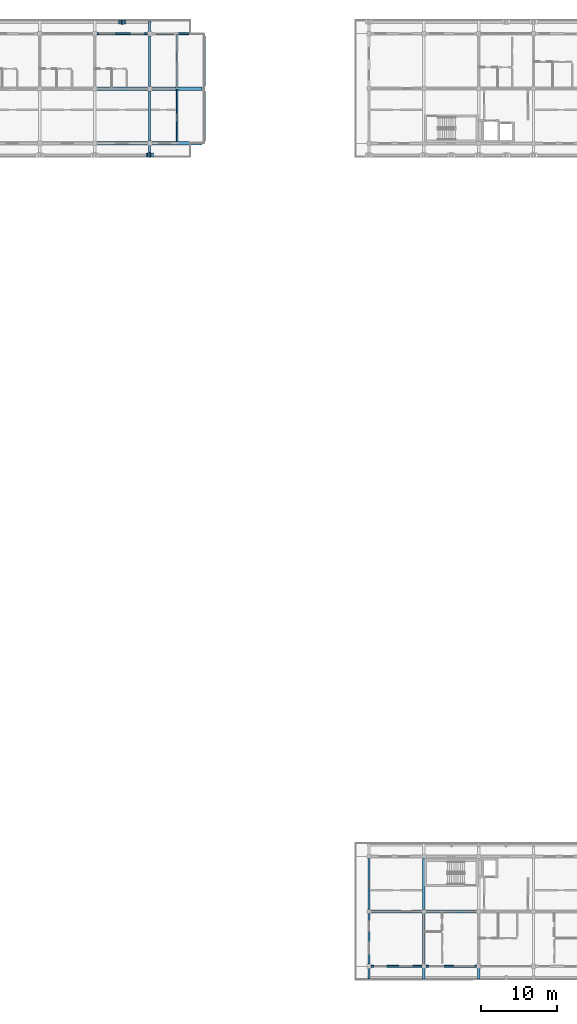
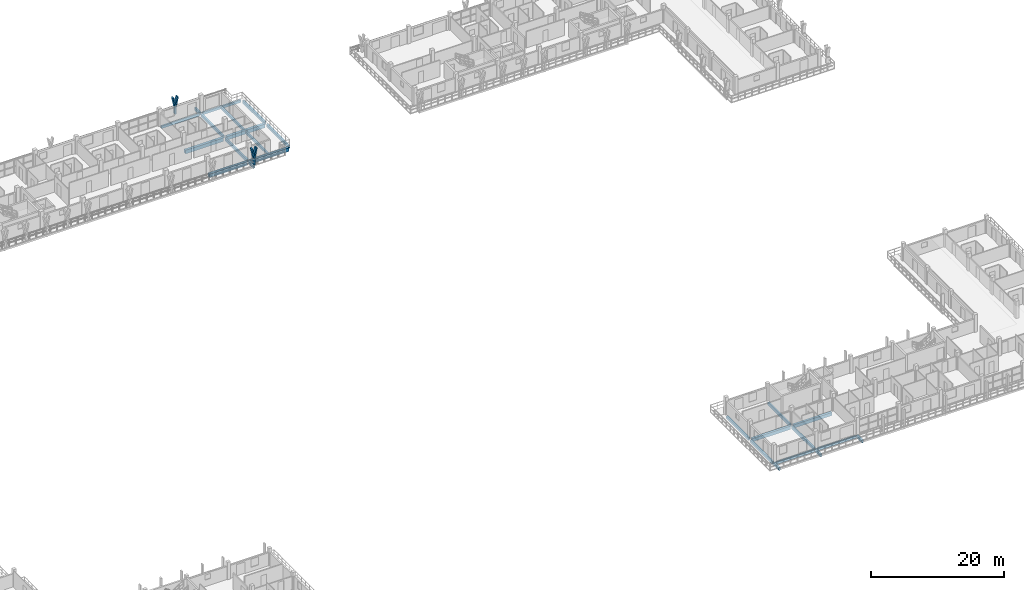
# One storey, part 18 of 67: 25 beams, 6 members.
"""IFC4 building model written with IfcOpenShell, lengths in metres."""

from ifc_helpers import new_model, si_unit, direction, frame, origin, origin_2d, place, context, subcontext, project, spatial, rectangle, extrude, material, material_profile, profile_set, type_object, element, save


model = new_model("IFC4")

# Units and contexts
model_context = context("Model", 3, precision=1e-05, world=origin(), true_north=direction((0.0, 1.0)))
body_context = subcontext(model_context, "Body", "Model", "MODEL_VIEW")
ifc_project = project(units=[si_unit("LENGTHUNIT", "METRE"), si_unit("AREAUNIT", "SQUARE_METRE"), si_unit("VOLUMEUNIT", "CUBIC_METRE"), si_unit("PLANEANGLEUNIT", "RADIAN"), si_unit("MASSUNIT", "GRAM", prefix="KILO")], contexts=[model_context])

# Site, building, storey
site_placement = place(None, origin())
site = spatial("IfcSite", under=ifc_project, at=site_placement, CompositionType="ELEMENT")
building_placement = place(site_placement, origin())
building = spatial("IfcBuilding", under=site, at=building_placement, Name="Suanplinth Sawtooth Commons", CompositionType="ELEMENT")
storey_placement = place(building_placement, frame((0.0, 0.0, 25.10009765625)))
storey = spatial("IfcBuildingStorey", under=building, at=storey_placement, Name="L07", CompositionType="ELEMENT", Elevation=25.10009765625)

# Beams
ifc_material_1 = material(Name="Precast concrete C40/50", Category="concrete")
ifc_material_profile_1 = material_profile(ifc_material_1, rectangle(XDim=0.449951171875, YDim=0.64990234375, at=origin_2d()), Name="PC-GDR 450x650")
ifc_profile_set_1 = profile_set([ifc_material_profile_1], Name="Precast concrete C40/50")
beam_type_1 = type_object("IfcBeamType", Name="B-04", PredefinedType="USERDEFINED", material=ifc_profile_set_1)
for number, where, z_axis, x_axis, name in (
    (1, (93.89990234375, 108.0, -0.545166015625), (1.0, 0.0, 0.0), (0.0, 1.0, 0.0), "BMX-L07-A-13-15"),
    (2, (93.89990234375, 115.199951171875, -0.545166015625), (1.0, 0.0, 0.0), (0.0, 1.0, 0.0), "BMX-L07-A-13-16"),
):
    element("IfcBeam", number, at=place(storey_placement, frame(where, z_axis=z_axis, x_axis=x_axis)), inside=storey, type_object=beam_type_1, Name=name, ObjectType="GIRDER", PredefinedType="USERDEFINED", context=body_context, shape_type="SweptSolid", body=[
        extrude(rectangle(XDim=0.449951171875, YDim=0.64990234375, at=origin_2d()), origin(), (0.0, 0.0, 1.0), 6.60009765625),
    ])
for number, where, z_axis, x_axis, name in (
    (3, (101.10009765625, 108.0, -0.545166015625), (1.0, 0.0, 0.0), (0.0, 1.0, 0.0), "BMX-L07-A-14-15"),
    (4, (101.10009765625, 115.199951171875, -0.545166015625), (1.0, 0.0, 0.0), (0.0, 1.0, 0.0), "BMX-L07-A-14-16"),
):
    element("IfcBeam", number, at=place(storey_placement, frame(where, z_axis=z_axis, x_axis=x_axis)), inside=storey, type_object=beam_type_1, Name=name, ObjectType="GIRDER", PredefinedType="USERDEFINED", context=body_context, shape_type="SweptSolid", body=[
        extrude(rectangle(XDim=0.449951171875, YDim=0.64990234375, at=origin_2d()), origin(), (0.0, 0.0, 1.0), 6.599853515625),
    ])
ifc_material_profile_2 = material_profile(ifc_material_1, rectangle(XDim=0.39990234375, YDim=0.60009765625, at=origin_2d()), Name="PC-GDR 400x600")
ifc_profile_set_2 = profile_set([ifc_material_profile_2], Name="Precast concrete C40/50")
beam_type_2 = type_object("IfcBeamType", Name="B-05", PredefinedType="USERDEFINED", material=ifc_profile_set_2)
beam_1_placement = place(storey_placement, frame((129.875, 7.199951171875, -0.52001953125), z_axis=(1.0, 0.0, 0.0), x_axis=(0.0, 1.0, 0.0)))
element("IfcBeam", 5, at=beam_1_placement, inside=storey, type_object=beam_type_2, Name="BMX-L07-C-18-1", ObjectType="GIRDER", PredefinedType="USERDEFINED", context=body_context, shape_type="SweptSolid", body=[
    extrude(rectangle(XDim=0.39990234375, YDim=0.60009765625, at=origin_2d()), origin(), (0.0, 0.0, 1.0), 6.64990234375),
])
beam_2_placement = place(storey_placement, frame((137.074951171875, 7.199951171875, -0.52001953125), z_axis=(1.0, 0.0, 0.0), x_axis=(0.0, 1.0, 0.0)))
element("IfcBeam", 6, at=beam_2_placement, inside=storey, type_object=beam_type_2, Name="BMX-L07-C-19-1", ObjectType="GIRDER", PredefinedType="USERDEFINED", context=body_context, shape_type="SweptSolid", body=[
    extrude(rectangle(XDim=0.39990234375, YDim=0.60009765625, at=origin_2d()), origin(), (0.0, 0.0, 1.0), 6.650146484375),
])
ifc_material_profile_3 = material_profile(ifc_material_1, rectangle(XDim=0.300048828125, YDim=0.5, at=origin_2d()), Name="PC-BM 300x500")
ifc_profile_set_3 = profile_set([ifc_material_profile_3], Name="Precast concrete C40/50")
beam_type_3 = type_object("IfcBeamType", Name="B-07", PredefinedType="BEAM", material=ifc_profile_set_3)
beam_3_placement = place(storey_placement, frame((100.800048828125, 108.300048828125, -0.47021484375), z_axis=(0.0, 1.0, 0.0), x_axis=(-1.0, 0.0, 0.0)))
element("IfcBeam", 7, at=beam_3_placement, inside=storey, type_object=beam_type_3, Name="BMY-L07-A-14-15", PredefinedType="BEAM", context=body_context, shape_type="SweptSolid", body=[
    extrude(rectangle(XDim=0.300048828125, YDim=0.5, at=origin_2d()), origin(), (0.0, 0.0, 1.0), 6.599853515625),
])
beam_4_placement = place(storey_placement, frame((100.800048828125, 115.5, -0.47021484375), z_axis=(0.0, 1.0, 0.0), x_axis=(-1.0, 0.0, 0.0)))
element("IfcBeam", 8, at=beam_4_placement, inside=storey, type_object=beam_type_3, Name="BMY-L07-A-14-16", PredefinedType="BEAM", context=body_context, shape_type="SweptSolid", body=[
    extrude(rectangle(XDim=0.300048828125, YDim=0.5, at=origin_2d()), origin(), (0.0, 0.0, 1.0), 6.60009765625),
])
beam_5_placement = place(storey_placement, frame((108.0, 108.300048828125, -0.47021484375), z_axis=(0.0, 1.0, 0.0), x_axis=(-1.0, 0.0, 0.0)))
element("IfcBeam", 9, at=beam_5_placement, inside=storey, type_object=beam_type_3, Name="BMY-L07-A-15-15", PredefinedType="BEAM", context=body_context, shape_type="SweptSolid", body=[
    extrude(rectangle(XDim=0.300048828125, YDim=0.5, at=origin_2d()), origin(), (0.0, 0.0, 1.0), 6.599853515625),
])
beam_6_placement = place(storey_placement, frame((108.0, 115.5, -0.47021484375), z_axis=(0.0, 1.0, 0.0), x_axis=(-1.0, 0.0, 0.0)))
element("IfcBeam", 10, at=beam_6_placement, inside=storey, type_object=beam_type_3, Name="BMY-L07-A-15-16", PredefinedType="BEAM", context=body_context, shape_type="SweptSolid", body=[
    extrude(rectangle(XDim=0.300048828125, YDim=0.5, at=origin_2d()), origin(), (0.0, 0.0, 1.0), 6.60009765625),
])
beam_7_placement = place(storey_placement, frame((129.60009765625, 0.27490234375, -0.47021484375), z_axis=(0.0, 1.0, 0.0), x_axis=(-1.0, 0.0, 0.0)))
element("IfcBeam", 11, at=beam_7_placement, inside=storey, type_object=beam_type_3, Name="BMY-L07-C-18-0", PredefinedType="BEAM", context=body_context, shape_type="SweptSolid", body=[
    extrude(rectangle(XDim=0.300048828125, YDim=0.5, at=origin_2d()), origin(), (0.0, 0.0, 1.0), 6.650146484375),
])
beam_8_placement = place(storey_placement, frame((129.60009765625, 7.47509765625, -0.47021484375), z_axis=(0.0, 1.0, 0.0), x_axis=(-1.0, 0.0, 0.0)))
element("IfcBeam", 12, at=beam_8_placement, inside=storey, type_object=beam_type_3, Name="BMY-L07-C-18-1", PredefinedType="BEAM", context=body_context, shape_type="SweptSolid", body=[
    extrude(rectangle(XDim=0.300048828125, YDim=0.5, at=origin_2d()), origin(), (0.0, 0.0, 1.0), 6.64990234375),
])
beam_9_placement = place(storey_placement, frame((136.800048828125, 0.27490234375, -0.47021484375), z_axis=(0.0, 1.0, 0.0), x_axis=(-1.0, 0.0, 0.0)))
element("IfcBeam", 13, at=beam_9_placement, inside=storey, type_object=beam_type_3, Name="BMY-L07-C-19-0", PredefinedType="BEAM", context=body_context, shape_type="SweptSolid", body=[
    extrude(rectangle(XDim=0.300048828125, YDim=0.5, at=origin_2d()), origin(), (0.0, 0.0, 1.0), 6.650146484375),
])
beam_10_placement = place(storey_placement, frame((136.800048828125, 7.47509765625, -0.47021484375), z_axis=(0.0, 1.0, 0.0), x_axis=(-1.0, 0.0, 0.0)))
element("IfcBeam", 14, at=beam_10_placement, inside=storey, type_object=beam_type_3, Name="BMY-L07-C-19-1", PredefinedType="BEAM", context=body_context, shape_type="SweptSolid", body=[
    extrude(rectangle(XDim=0.300048828125, YDim=0.5, at=origin_2d()), origin(), (0.0, 0.0, 1.0), 6.64990234375),
])
beam_11_placement = place(storey_placement, frame((100.800048828125, 122.39990234375, -0.43017578125), z_axis=(0.0, 1.0, 0.0), x_axis=(-1.0, 0.0, 0.0)))
element("IfcBeam", 15, at=beam_11_placement, inside=storey, type_object=beam_type_3, Name="Balcony Outrigger L07-A-N-14", PredefinedType="BEAM", context=body_context, shape_type="SweptSolid", body=[
    extrude(rectangle(XDim=0.300048828125, YDim=0.5, at=origin_2d()), origin(), (0.0, 0.0, 1.0), 1.64013671875),
])
for number, where, z_axis, x_axis, name in (
    (16, (100.800048828125, 108.0, -0.43017578125), (0.0, -1.0, 0.0), (1.0, 0.0, 0.0), "Balcony Outrigger L07-A-S-14"),
    (17, (129.60009765625, 0.0, -0.43017578125), (0.0, -1.0, 0.0), (1.0, 0.0, 0.0), "Balcony Outrigger L07-C-S-18"),
    (18, (136.800048828125, 0.0, -0.43017578125), (0.0, -1.0, 0.0), (1.0, 0.0, 0.0), "Balcony Outrigger L07-C-S-19"),
    (19, (144.0, 0.0, -0.43017578125), (0.0, -1.0, 0.0), (1.0, 0.0, 0.0), "Balcony Outrigger L07-C-S-20"),
):
    element("IfcBeam", number, at=place(storey_placement, frame(where, z_axis=z_axis, x_axis=x_axis)), inside=storey, type_object=beam_type_3, Name=name, PredefinedType="BEAM", context=body_context, shape_type="SweptSolid", body=[
        extrude(rectangle(XDim=0.300048828125, YDim=0.5, at=origin_2d()), origin(), (0.0, 0.0, 1.0), 1.639892578125),
    ])
ifc_material_profile_4 = material_profile(ifc_material_1, rectangle(XDim=0.25, YDim=0.449951171875, at=origin_2d()), Name="PC-SP 250x450")
ifc_profile_set_4 = profile_set([ifc_material_profile_4], Name="Precast concrete C40/50")
beam_type_4 = type_object("IfcBeamType", Name="B-09", PredefinedType="SPANDREL", material=ifc_profile_set_4)
beam_12_placement = place(storey_placement, frame((93.89990234375, 122.39990234375, -0.445068359375), z_axis=(1.0, 0.0, 0.0), x_axis=(0.0, 1.0, 0.0)))
element("IfcBeam", 20, at=beam_12_placement, inside=storey, type_object=beam_type_4, Name="BMX-L07-A-13-17", PredefinedType="SPANDREL", context=body_context, shape_type="SweptSolid", body=[
    extrude(rectangle(XDim=0.25, YDim=0.449951171875, at=origin_2d()), origin(), (0.0, 0.0, 1.0), 6.60009765625),
])
beam_13_placement = place(storey_placement, frame((101.10009765625, 122.39990234375, -0.445068359375), z_axis=(1.0, 0.0, 0.0), x_axis=(0.0, 1.0, 0.0)))
element("IfcBeam", 21, at=beam_13_placement, inside=storey, type_object=beam_type_4, Name="BMX-L07-A-14-17", PredefinedType="SPANDREL", context=body_context, shape_type="SweptSolid", body=[
    extrude(rectangle(XDim=0.25, YDim=0.449951171875, at=origin_2d()), origin(), (0.0, 0.0, 1.0), 6.599853515625),
])
beam_14_placement = place(storey_placement, frame((104.39990234375, 108.139892578125, -0.545166015625), z_axis=(0.0, 1.0, 0.0), x_axis=(-1.0, 0.0, 0.0)))
element("IfcBeam", 22, at=beam_14_placement, inside=storey, type_object=beam_type_4, Name="BMY-L07-A-STEP-1044-15", PredefinedType="SPANDREL", context=body_context, shape_type="SweptSolid", body=[
    extrude(rectangle(XDim=0.25, YDim=0.449951171875, at=origin_2d()), origin(), (0.0, 0.0, 1.0), 6.980224609375),
])
beam_15_placement = place(storey_placement, frame((104.39990234375, 115.340087890625, -0.545166015625), z_axis=(0.0, 1.0, 0.0), x_axis=(-1.0, 0.0, 0.0)))
element("IfcBeam", 23, at=beam_15_placement, inside=storey, type_object=beam_type_4, Name="BMY-L07-A-STEP-1044-16", PredefinedType="SPANDREL", context=body_context, shape_type="SweptSolid", body=[
    extrude(rectangle(XDim=0.25, YDim=0.449951171875, at=origin_2d()), origin(), (0.0, 0.0, 1.0), 6.97998046875),
])
beam_16_placement = place(storey_placement, frame((129.875, 0.0, -0.445068359375), z_axis=(1.0, 0.0, 0.0), x_axis=(0.0, 1.0, 0.0)))
element("IfcBeam", 24, at=beam_16_placement, inside=storey, type_object=beam_type_4, Name="BMX-L07-C-18-0", PredefinedType="SPANDREL", context=body_context, shape_type="SweptSolid", body=[
    extrude(rectangle(XDim=0.25, YDim=0.449951171875, at=origin_2d()), origin(), (0.0, 0.0, 1.0), 6.64990234375),
])
beam_17_placement = place(storey_placement, frame((137.074951171875, 0.0, -0.445068359375), z_axis=(1.0, 0.0, 0.0), x_axis=(0.0, 1.0, 0.0)))
element("IfcBeam", 25, at=beam_17_placement, inside=storey, type_object=beam_type_4, Name="BMX-L07-C-19-0", PredefinedType="SPANDREL", context=body_context, shape_type="SweptSolid", body=[
    extrude(rectangle(XDim=0.25, YDim=0.449951171875, at=origin_2d()), origin(), (0.0, 0.0, 1.0), 6.650146484375),
])

# Members
ifc_material_2 = material(Name="Pigmented precast concrete C40/50", Category="concrete")
ifc_material_profile_5 = material_profile(ifc_material_2, rectangle(XDim=0.260009765625, YDim=0.550048828125, at=origin_2d()), Name="PC-FIN 260x550")
ifc_profile_set_5 = profile_set([ifc_material_profile_5], Name="Pigmented precast concrete C40/50")
member_type_1 = type_object("IfcMemberType", Name="M-09", PredefinedType="USERDEFINED", material=ifc_profile_set_5)
for number, where, z_axis, x_axis, name in (
    (26, (97.199951171875, 123.919921875, 0.0), (0.0, 0.0, 1.0), (1.0, 0.0, 0.0), "Y-Blade Stem L07-A-N-04"),
    (27, (100.800048828125, 106.47998046875, 0.0), (0.0, 0.0, 1.0), (1.0, 0.0, 0.0), "Y-Blade Stem L07-A-S-21"),
):
    element("IfcMember", number, at=place(storey_placement, frame(where, z_axis=z_axis, x_axis=x_axis)), inside=storey, type_object=member_type_1, Name=name, ObjectType="SHADING FIN", PredefinedType="USERDEFINED", context=body_context, shape_type="SweptSolid", body=[
        extrude(rectangle(XDim=0.260009765625, YDim=0.550048828125, at=origin_2d()), origin(), (0.0, 0.0, 1.0), 1.169921875),
    ])
ifc_material_profile_6 = material_profile(ifc_material_2, rectangle(XDim=0.219970703125, YDim=0.550048828125, at=origin_2d()), Name="PC-FIN 220x550")
ifc_profile_set_6 = profile_set([ifc_material_profile_6], Name="Pigmented precast concrete C40/50")
member_type_2 = type_object("IfcMemberType", Name="M-10", PredefinedType="USERDEFINED", material=ifc_profile_set_6)
member_1_placement = place(storey_placement, frame((97.199951171875, 123.919921875, 1.1298828125), z_axis=(-0.196309979414, 0.0, 0.980541886909), x_axis=(0.980541886909, 0.0, 0.196309979414)))
element("IfcMember", 28, at=member_1_placement, inside=storey, type_object=member_type_2, Name="Y-Blade Arm L L07-A-N-04", ObjectType="SHADING FIN", PredefinedType="USERDEFINED", context=body_context, shape_type="SweptSolid", body=[
    extrude(rectangle(XDim=0.219970703125, YDim=0.550048828125, at=origin_2d()), origin(), (0.0, 0.0, 1.0), 1.9375),
])
for number, where, z_axis, x_axis, name in (
    (29, (97.199951171875, 123.919921875, 1.1298828125), (0.196431120402, 0.0, 0.980517626021), (-0.980517626021, 0.0, 0.196431120402), "Y-Blade Arm R L07-A-N-04"),
    (30, (100.800048828125, 106.47998046875, 1.1298828125), (-0.196431120402, 0.0, 0.980517626021), (0.980517626021, 0.0, 0.196431120402), "Y-Blade Arm L L07-A-S-21"),
):
    element("IfcMember", number, at=place(storey_placement, frame(where, z_axis=z_axis, x_axis=x_axis)), inside=storey, type_object=member_type_2, Name=name, ObjectType="SHADING FIN", PredefinedType="USERDEFINED", context=body_context, shape_type="SweptSolid", body=[
        extrude(rectangle(XDim=0.219970703125, YDim=0.550048828125, at=origin_2d()), origin(), (0.0, 0.0, 1.0), 1.937744140625),
    ])
member_2_placement = place(storey_placement, frame((100.800048828125, 106.47998046875, 1.1298828125), z_axis=(0.196309979414, 0.0, 0.980541886909), x_axis=(-0.980541886909, 0.0, 0.196309979414)))
element("IfcMember", 31, at=member_2_placement, inside=storey, type_object=member_type_2, Name="Y-Blade Arm R L07-A-S-21", ObjectType="SHADING FIN", PredefinedType="USERDEFINED", context=body_context, shape_type="SweptSolid", body=[
    extrude(rectangle(XDim=0.219970703125, YDim=0.550048828125, at=origin_2d()), origin(), (0.0, 0.0, 1.0), 1.9375),
])

save(model, "model.ifc")
